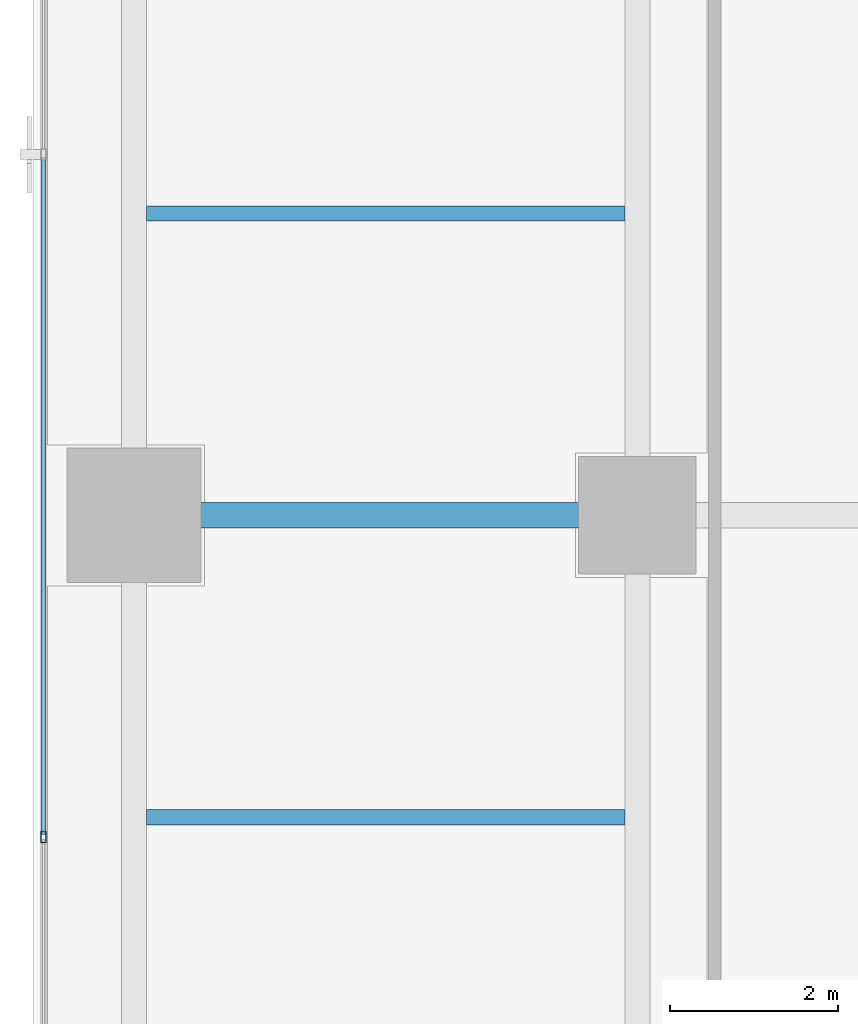
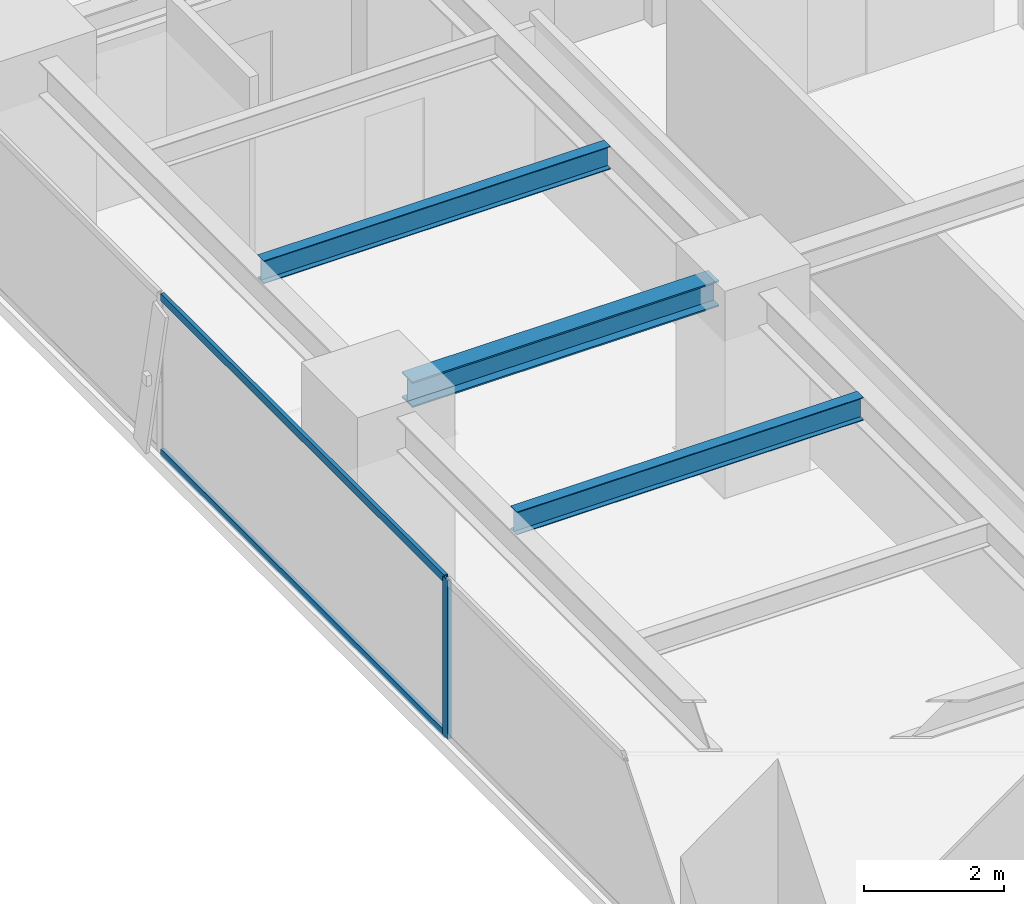
# One storey, part 4 of 28: 3 beams, 3 members, 1 element without a shape of its own.
"""IFC4 building model written with IfcOpenShell, lengths in metres."""

from ifc_helpers import new_model, si_unit, direction, frame, origin, origin_2d, place, context, subcontext, project, spatial, hollow_rectangle, i_section, extrude, source, transform, mapped, material, layer, layer_set, material_profile, profile_set, type_object, element, aggregate, save


model = new_model("IFC4")

# Units and contexts
model_context = context("Model", 3, precision=1e-05, world=origin(), true_north=direction((0.0, 1.0)))
body_context = subcontext(model_context, "Body", "Model", "MODEL_VIEW")
ifc_project = project(units=[si_unit("LENGTHUNIT", "METRE"), si_unit("AREAUNIT", "SQUARE_METRE"), si_unit("VOLUMEUNIT", "CUBIC_METRE"), si_unit("PLANEANGLEUNIT", "RADIAN"), si_unit("MASSUNIT", "GRAM", prefix="KILO")], contexts=[model_context])

# Site, building, storey
site_placement = place(None, origin())
site = spatial("IfcSite", under=ifc_project, at=site_placement, CompositionType="ELEMENT")
building_placement = place(site_placement, origin())
building = spatial("IfcBuilding", under=site, at=building_placement, Name="Sumidabori Civic Tower", CompositionType="ELEMENT")
storey_placement = place(building_placement, frame((0.0, 0.0, 210.800048828125)))
storey = spatial("IfcBuildingStorey", under=building, at=storey_placement, Name="L54", CompositionType="ELEMENT", Elevation=210.800048828125)

# Beams
ifc_material_1 = material(Name="Steel SN490", Category="steel")
ifc_material_profile_1 = material_profile(ifc_material_1, i_section(OverallWidth=0.179931640625, OverallDepth=0.39990234375, WebThickness=0.008544921875, FlangeThickness=0.013427734375, at=origin_2d()), Name="IPE 400")
ifc_profile_set_1 = profile_set([ifc_material_profile_1], Name="Steel SN490")
beam_type_1 = type_object("IfcBeamType", Name="BM-JST-400", PredefinedType="JOIST", material=ifc_profile_set_1)
shared_shape_1 = source(origin(), body_context, "Body", "SweptSolid", [
    extrude(i_section(OverallWidth=0.179931640625, OverallDepth=0.39990234375, WebThickness=0.008544921875, FlangeThickness=0.013427734375, at=origin_2d()), origin(), (0.0, 0.0, 1.0), 5.699951171875),
])
for number, where, z_axis, x_axis, name in (
    (1, (-22.64990234375, -3.60009765625, 3.179931640625), (1.0, 0.0, 0.0), (0.0, 1.0, 0.0), "Outer Bay Floor Joist L54 JSTO-27"),
    (2, (-22.64990234375, 3.60009765625, 3.179931640625), (1.0, 0.0, 0.0), (0.0, 1.0, 0.0), "Outer Bay Floor Joist L54 JSTO-29"),
):
    element("IfcBeam", number, at=place(storey_placement, frame(where, z_axis=z_axis, x_axis=x_axis)), inside=storey, type_object=beam_type_1, Name=name, PredefinedType="JOIST", context=body_context, shape_type="MappedRepresentation", body=[
        mapped(shared_shape_1, transform((0.0, 0.0, 0.0), x_axis=(1.0, 0.0, 0.0), y_axis=(0.0, 1.0, 0.0), z_axis=(0.0, 0.0, 1.0), scale=1.0)),
    ])
ifc_material_profile_2 = material_profile(ifc_material_1, i_section(OverallWidth=0.300048828125, OverallDepth=0.449951171875, WebThickness=0.013916015625, FlangeThickness=0.02587890625, at=origin_2d()), Name="HE 450 B")
ifc_profile_set_2 = profile_set([ifc_material_profile_2], Name="Steel SN490")
beam_type_2 = type_object("IfcBeamType", Name="BM-GIRD-450", PredefinedType="BEAM", material=ifc_profile_set_2)
shared_shape_2 = source(origin(), body_context, "Body", "SweptSolid", [
    extrude(i_section(OverallWidth=0.300048828125, OverallDepth=0.449951171875, WebThickness=0.013916015625, FlangeThickness=0.02587890625, at=origin_2d()), origin(), (0.0, 0.0, 1.0), 5.0400390625),
])
beam_placement = place(storey_placement, frame((-22.320068359375, 0.0, 3.155029296875), z_axis=(1.0, 0.0, 0.0), x_axis=(0.0, 1.0, 0.0)))
element("IfcBeam", 3, at=beam_placement, inside=storey, type_object=beam_type_2, Name="Primary Girder L54 GX-05", PredefinedType="BEAM", context=body_context, shape_type="MappedRepresentation", body=[
    mapped(shared_shape_2, transform((0.0, 0.0, 0.0), x_axis=(1.0, 0.0, 0.0), y_axis=(0.0, 1.0, 0.0), z_axis=(0.0, 0.0, 1.0), scale=1.0)),
])

# Curtain wall, members
ifc_material_2 = material(Name="Anodised Bronze Aluminium AW-6063-T6", Category="aluminium")
ifc_layer = layer(ifc_material_2, 0.179931640625, Name="Anodised Bronze Aluminium AW-6063-T6")
ifc_layer_set = layer_set([ifc_layer], Name="Anodised Bronze Aluminium AW-6063-T6")
curtain_wall_type = type_object("IfcCurtainWallType", Name="CW-SYS-5", PredefinedType="NOTDEFINED", material=ifc_layer_set)
curtain_wall_placement = place(storey_placement, origin())
curtain_wall = element("IfcCurtainWall", 4, at=curtain_wall_placement, inside=storey, type_object=curtain_wall_type, Name="Curtain Wall CW:L54:R16", PredefinedType="NOTDEFINED")
ifc_material_profile_3 = material_profile(ifc_material_2, hollow_rectangle(XDim=0.06005859375, YDim=0.139892578125, WallThickness=0.0048828125, at=origin_2d()), Name="ALU MULLION 140x60")
ifc_profile_set_3 = profile_set([ifc_material_profile_3], Name="Anodised Bronze Aluminium AW-6063-T6")
member_type_1 = type_object("IfcMemberType", Name="CW-MUL-140", PredefinedType="MULLION", material=ifc_profile_set_3)
shared_shape_3 = source(origin(), body_context, "Body", "SweptSolid", [
    extrude(hollow_rectangle(XDim=0.06005859375, YDim=0.139892578125, WallThickness=0.0048828125, at=origin_2d()), origin(), (0.0, 0.0, 1.0), 2.760009765625),
])
member_1_placement = place(storey_placement, frame((-23.8798828125, -3.8349609375, 0.0), z_axis=(0.0, 0.0, 1.0), x_axis=(1.0, 0.0, 0.0)))
member_1 = element("IfcMember", 5, at=member_1_placement, type_object=member_type_1, Name="CW-5 mullion 4", PredefinedType="MULLION", context=body_context, shape_type="MappedRepresentation", body=[
    mapped(shared_shape_3, transform((0.0, 0.0, 0.0), x_axis=(1.0, 0.0, 0.0), y_axis=(0.0, 1.0, 0.0), z_axis=(0.0, 0.0, 1.0), scale=1.0)),
])
ifc_material_profile_4 = material_profile(ifc_material_2, hollow_rectangle(XDim=0.06005859375, YDim=0.1298828125, WallThickness=0.0048828125, at=origin_2d()), Name="ALU TRANSOM 130x60")
ifc_profile_set_4 = profile_set([ifc_material_profile_4], Name="Anodised Bronze Aluminium AW-6063-T6")
member_type_2 = type_object("IfcMemberType", Name="CW-TRN-130", PredefinedType="USERDEFINED", material=ifc_profile_set_4)
shared_shape_4 = source(origin(), body_context, "Body", "SweptSolid", [
    extrude(hollow_rectangle(XDim=0.06005859375, YDim=0.1298828125, WallThickness=0.0048828125, at=origin_2d()), origin(), (0.0, 0.0, 1.0), 8.074951171875),
])
member_2_placement = place(storey_placement, frame((-23.8798828125, 4.27001953125, 0.030029296875), z_axis=(0.0, -1.0, 0.0), x_axis=(1.0, 0.0, 0.0)))
member_2 = element("IfcMember", 6, at=member_2_placement, type_object=member_type_2, Name="CW-5 transom 3.1", ObjectType="TRANSOM", PredefinedType="USERDEFINED", context=body_context, shape_type="MappedRepresentation", body=[
    mapped(shared_shape_4, transform((0.0, 0.0, 0.0), x_axis=(1.0, 0.0, 0.0), y_axis=(0.0, 1.0, 0.0), z_axis=(0.0, 0.0, 1.0), scale=1.0)),
])
member_3_placement = place(storey_placement, frame((-23.8798828125, 4.27001953125, 2.72998046875), z_axis=(0.0, -1.0, 0.0), x_axis=(1.0, 0.0, 0.0)))
member_3 = element("IfcMember", 7, at=member_3_placement, type_object=member_type_2, Name="CW-5 transom 3.2", ObjectType="TRANSOM", PredefinedType="USERDEFINED", context=body_context, shape_type="MappedRepresentation", body=[
    mapped(shared_shape_4, transform((0.0, 0.0, 0.0), x_axis=(1.0, 0.0, 0.0), y_axis=(0.0, 1.0, 0.0), z_axis=(0.0, 0.0, 1.0), scale=1.0)),
])
aggregate(curtain_wall, [member_1, member_2, member_3])

save(model, "model.ifc")
